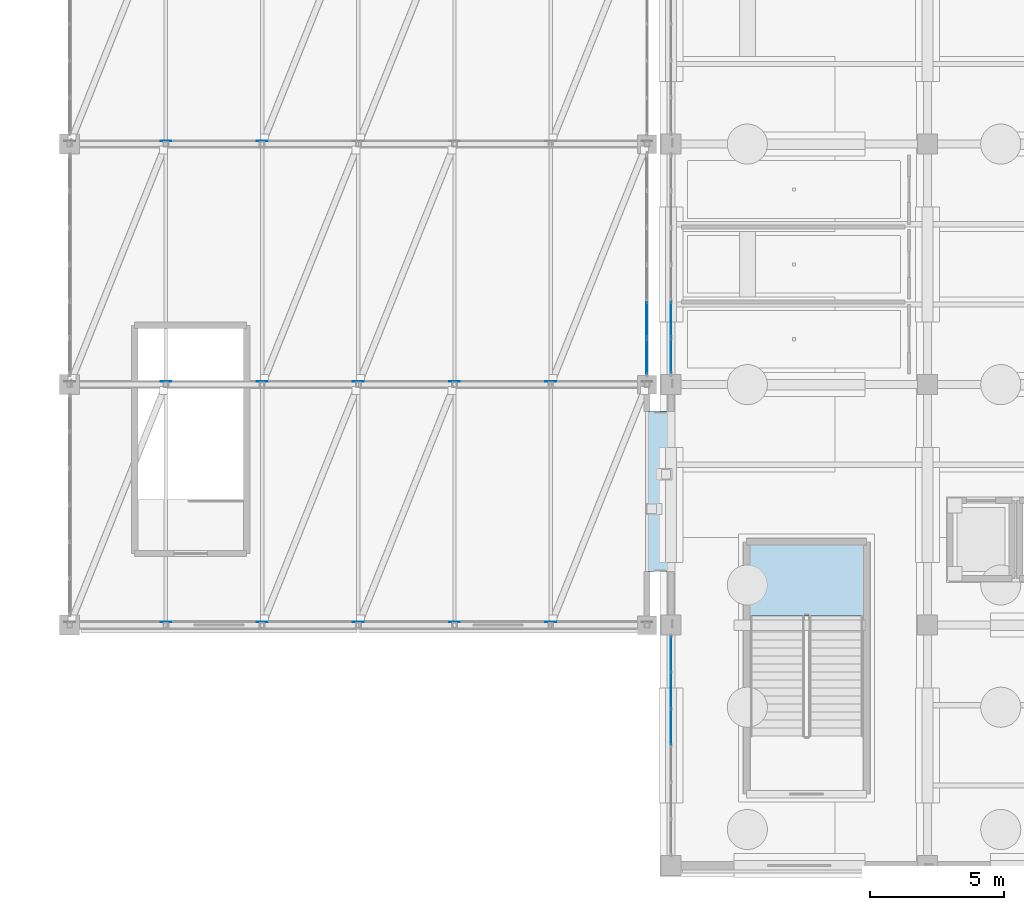
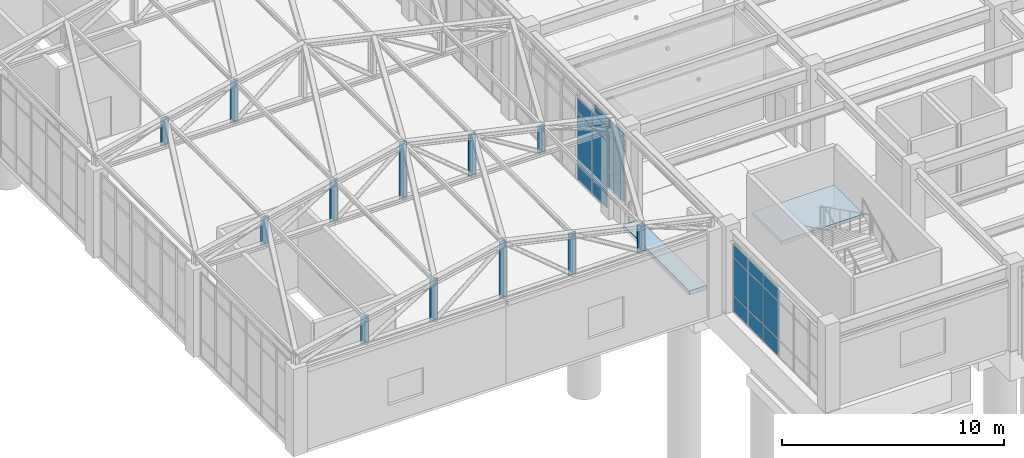
# One storey, part 95 of 139: 33 plates, 2 slabs, 4 elements without a shape of their own.
"""IFC4 building model written with IfcOpenShell, lengths in metres."""

from ifc_helpers import new_model, si_unit, direction, frame, origin, origin_2d, place, context, subcontext, project, spatial, polyline, rectangle, outline, extrude, material, layer, layer_set, type_object, element, aggregate, save


model = new_model("IFC4")

# Units and contexts
model_context = context("Model", 3, precision=1e-05, world=origin(), true_north=direction((0.0, 1.0)))
body_context = subcontext(model_context, "Body", "Model", "MODEL_VIEW")
ifc_project = project(units=[si_unit("LENGTHUNIT", "METRE"), si_unit("AREAUNIT", "SQUARE_METRE"), si_unit("VOLUMEUNIT", "CUBIC_METRE"), si_unit("PLANEANGLEUNIT", "RADIAN"), si_unit("MASSUNIT", "GRAM", prefix="KILO")], contexts=[model_context])

# Site, building, storey
site_placement = place(None, origin())
site = spatial("IfcSite", under=ifc_project, at=site_placement, CompositionType="ELEMENT")
building_placement = place(site_placement, origin())
building = spatial("IfcBuilding", under=site, at=building_placement, Name="Canglan Escarpment Cableway Terminal", CompositionType="ELEMENT")
storey_placement = place(building_placement, frame((0.0, 0.0, 14.39990234375)))
storey = spatial("IfcBuildingStorey", under=building, at=storey_placement, Name="L03", CompositionType="ELEMENT", Elevation=14.39990234375)

# Curtain wall, plates
ifc_material_1 = material(Name="Anodized bronze aluminium and Low-E double glazing", Category="aluminium")
curtain_wall_type_1 = type_object("IfcCurtainWallType", Name="CW-BAY-8250x3900", PredefinedType="NOTDEFINED", material=ifc_material_1)
curtain_wall_1_placement = place(storey_placement, origin())
curtain_wall_1 = element("IfcCurtainWall", 1, at=curtain_wall_1_placement, inside=storey, type_object=curtain_wall_type_1, Name="Classical bay-between-piers glazed curtain wall CW-62", PredefinedType="NOTDEFINED")
ifc_material_2 = material(Name="Double-silver Low-E laminated insulating glass", Category="glass")
ifc_layer_1 = layer(ifc_material_2, 0.02392578125, Name="Double-silver Low-E laminated insulating glass")
ifc_layer_set_1 = layer_set([ifc_layer_1], Name="Double-silver Low-E laminated insulating glass")
plate_type_1 = type_object("IfcPlateType", Name="CWP-01", PredefinedType="CURTAIN_PANEL", material=ifc_layer_set_1)
plate_1_placement = place(storey_placement, frame((137.60009765625, 41.922607421875, 0.05517578125), z_axis=(0.0, 0.0, 1.0), x_axis=(0.0, -1.0, 0.0)))
plate_1 = element("IfcPlate", 2, at=plate_1_placement, type_object=plate_type_1, Name="CW-62 panel 1.1", PredefinedType="CURTAIN_PANEL", context=body_context, shape_type="SweptSolid", body=[
    extrude(rectangle(XDim=1.284912109375, YDim=0.02392578125, at=origin_2d()), origin(), (0.0, 0.0, 1.0), 0.867431640625),
])
plate_2_placement = place(storey_placement, frame((137.60009765625, 41.922607421875, 0.9775390625), z_axis=(0.0, 0.0, 1.0), x_axis=(0.0, -1.0, 0.0)))
plate_2 = element("IfcPlate", 3, at=plate_2_placement, type_object=plate_type_1, Name="CW-62 panel 1.2", PredefinedType="CURTAIN_PANEL", context=body_context, shape_type="SweptSolid", body=[
    extrude(rectangle(XDim=1.284912109375, YDim=0.02392578125, at=origin_2d()), origin(), (0.0, 0.0, 1.0), 2.035888671875),
])
plate_3_placement = place(storey_placement, frame((137.60009765625, 41.922607421875, 3.068603515625), z_axis=(0.0, 0.0, 1.0), x_axis=(0.0, -1.0, 0.0)))
plate_3 = element("IfcPlate", 4, at=plate_3_placement, type_object=plate_type_1, Name="CW-62 panel 1.3", PredefinedType="CURTAIN_PANEL", context=body_context, shape_type="SweptSolid", body=[
    extrude(rectangle(XDim=1.284912109375, YDim=0.02392578125, at=origin_2d()), origin(), (0.0, 0.0, 1.0), 0.767578125),
])
plate_4_placement = place(storey_placement, frame((137.60009765625, 40.5625, 0.05517578125), z_axis=(0.0, 0.0, 1.0), x_axis=(0.0, -1.0, 0.0)))
plate_4 = element("IfcPlate", 5, at=plate_4_placement, type_object=plate_type_1, Name="CW-62 panel 2.1", PredefinedType="CURTAIN_PANEL", context=body_context, shape_type="SweptSolid", body=[
    extrude(rectangle(XDim=1.31494140625, YDim=0.02392578125, at=origin_2d()), origin(), (0.0, 0.0, 1.0), 0.867431640625),
])
plate_5_placement = place(storey_placement, frame((137.60009765625, 40.5625, 0.9775390625), z_axis=(0.0, 0.0, 1.0), x_axis=(0.0, -1.0, 0.0)))
plate_5 = element("IfcPlate", 6, at=plate_5_placement, type_object=plate_type_1, Name="CW-62 panel 2.2", PredefinedType="CURTAIN_PANEL", context=body_context, shape_type="SweptSolid", body=[
    extrude(rectangle(XDim=1.31494140625, YDim=0.02392578125, at=origin_2d()), origin(), (0.0, 0.0, 1.0), 2.035888671875),
])
plate_6_placement = place(storey_placement, frame((137.60009765625, 40.5625, 3.068603515625), z_axis=(0.0, 0.0, 1.0), x_axis=(0.0, -1.0, 0.0)))
plate_6 = element("IfcPlate", 7, at=plate_6_placement, type_object=plate_type_1, Name="CW-62 panel 2.3", PredefinedType="CURTAIN_PANEL", context=body_context, shape_type="SweptSolid", body=[
    extrude(rectangle(XDim=1.31494140625, YDim=0.02392578125, at=origin_2d()), origin(), (0.0, 0.0, 1.0), 0.767578125),
])
plate_7_placement = place(storey_placement, frame((137.60009765625, 39.1875, 0.05517578125), z_axis=(0.0, 0.0, 1.0), x_axis=(0.0, -1.0, 0.0)))
plate_7 = element("IfcPlate", 8, at=plate_7_placement, type_object=plate_type_1, Name="CW-62 panel 3.1", PredefinedType="CURTAIN_PANEL", context=body_context, shape_type="SweptSolid", body=[
    extrude(rectangle(XDim=1.31494140625, YDim=0.02392578125, at=origin_2d()), origin(), (0.0, 0.0, 1.0), 0.867431640625),
])
plate_8_placement = place(storey_placement, frame((137.60009765625, 39.1875, 0.9775390625), z_axis=(0.0, 0.0, 1.0), x_axis=(0.0, -1.0, 0.0)))
plate_8 = element("IfcPlate", 9, at=plate_8_placement, type_object=plate_type_1, Name="CW-62 panel 3.2", PredefinedType="CURTAIN_PANEL", context=body_context, shape_type="SweptSolid", body=[
    extrude(rectangle(XDim=1.31494140625, YDim=0.02392578125, at=origin_2d()), origin(), (0.0, 0.0, 1.0), 2.035888671875),
])
plate_9_placement = place(storey_placement, frame((137.60009765625, 39.1875, 3.068603515625), z_axis=(0.0, 0.0, 1.0), x_axis=(0.0, -1.0, 0.0)))
plate_9 = element("IfcPlate", 10, at=plate_9_placement, type_object=plate_type_1, Name="CW-62 panel 3.3", PredefinedType="CURTAIN_PANEL", context=body_context, shape_type="SweptSolid", body=[
    extrude(rectangle(XDim=1.31494140625, YDim=0.02392578125, at=origin_2d()), origin(), (0.0, 0.0, 1.0), 0.767578125),
])
aggregate(curtain_wall_1, [plate_1, plate_2, plate_3, plate_4, plate_5, plate_6, plate_7, plate_8, plate_9])

curtain_wall_2_placement = place(storey_placement, origin())
curtain_wall_2 = element("IfcCurtainWall", 11, at=curtain_wall_2_placement, inside=storey, type_object=curtain_wall_type_1, Name="Classical bay-between-piers glazed curtain wall CW-62", PredefinedType="NOTDEFINED")
ifc_layer_2 = layer(ifc_material_2, 0.031982421875, Name="Double-silver Low-E laminated insulating glass")
ifc_layer_set_2 = layer_set([ifc_layer_2], Name="Double-silver Low-E laminated insulating glass")
plate_type_2 = type_object("IfcPlateType", Name="CWP-03", PredefinedType="CURTAIN_PANEL", material=ifc_layer_set_2)
plate_10_placement = place(storey_placement, frame((137.60009765625, 54.4375, 0.065185546875), z_axis=(0.0, 0.0, 1.0), x_axis=(0.0, -1.0, 0.0)))
plate_10 = element("IfcPlate", 12, at=plate_10_placement, type_object=plate_type_2, Name="CW-62 panel 5.1", PredefinedType="CURTAIN_PANEL", context=body_context, shape_type="SweptSolid", body=[
    extrude(rectangle(XDim=1.31005859375, YDim=0.031982421875, at=origin_2d()), origin(), (0.0, 0.0, 1.0), 0.8525390625),
])
plate_11_placement = place(storey_placement, frame((137.60009765625, 54.4375, 0.982666015625), z_axis=(0.0, 0.0, 1.0), x_axis=(0.0, -1.0, 0.0)))
plate_11 = element("IfcPlate", 13, at=plate_11_placement, type_object=plate_type_2, Name="CW-62 panel 5.2", PredefinedType="CURTAIN_PANEL", context=body_context, shape_type="SweptSolid", body=[
    extrude(rectangle(XDim=1.31005859375, YDim=0.031982421875, at=origin_2d()), origin(), (0.0, 0.0, 1.0), 2.02587890625),
])
plate_12_placement = place(storey_placement, frame((137.60009765625, 54.4375, 3.07373046875), z_axis=(0.0, 0.0, 1.0), x_axis=(0.0, -1.0, 0.0)))
plate_12 = element("IfcPlate", 14, at=plate_12_placement, type_object=plate_type_2, Name="CW-62 panel 5.3", PredefinedType="CURTAIN_PANEL", context=body_context, shape_type="SweptSolid", body=[
    extrude(rectangle(XDim=1.31005859375, YDim=0.031982421875, at=origin_2d()), origin(), (0.0, 0.0, 1.0), 0.75244140625),
])
plate_13_placement = place(storey_placement, frame((137.60009765625, 53.078857421875, 0.065185546875), z_axis=(0.0, 0.0, 1.0), x_axis=(0.0, -1.0, 0.0)))
plate_13 = element("IfcPlate", 15, at=plate_13_placement, type_object=plate_type_2, Name="CW-62 panel 6.1", PredefinedType="CURTAIN_PANEL", context=body_context, shape_type="SweptSolid", body=[
    extrude(rectangle(XDim=1.277587890625, YDim=0.031982421875, at=origin_2d()), origin(), (0.0, 0.0, 1.0), 0.8525390625),
])
plate_14_placement = place(storey_placement, frame((137.60009765625, 53.078857421875, 0.982666015625), z_axis=(0.0, 0.0, 1.0), x_axis=(0.0, -1.0, 0.0)))
plate_14 = element("IfcPlate", 16, at=plate_14_placement, type_object=plate_type_2, Name="CW-62 panel 6.2", PredefinedType="CURTAIN_PANEL", context=body_context, shape_type="SweptSolid", body=[
    extrude(rectangle(XDim=1.277587890625, YDim=0.031982421875, at=origin_2d()), origin(), (0.0, 0.0, 1.0), 2.02587890625),
])
plate_15_placement = place(storey_placement, frame((137.60009765625, 53.078857421875, 3.07373046875), z_axis=(0.0, 0.0, 1.0), x_axis=(0.0, -1.0, 0.0)))
plate_15 = element("IfcPlate", 17, at=plate_15_placement, type_object=plate_type_2, Name="CW-62 panel 6.3", PredefinedType="CURTAIN_PANEL", context=body_context, shape_type="SweptSolid", body=[
    extrude(rectangle(XDim=1.277587890625, YDim=0.031982421875, at=origin_2d()), origin(), (0.0, 0.0, 1.0), 0.75244140625),
])
aggregate(curtain_wall_2, [plate_10, plate_11, plate_12, plate_13, plate_14, plate_15])

curtain_wall_type_2 = type_object("IfcCurtainWallType", Name="CW-BAY-8300x4600", PredefinedType="NOTDEFINED", material=ifc_material_1)
curtain_wall_3_placement = place(storey_placement, origin())
curtain_wall_3 = element("IfcCurtainWall", 18, at=curtain_wall_3_placement, inside=storey, type_object=curtain_wall_type_2, Name="Classical bay-between-piers glazed curtain wall CW-45", PredefinedType="NOTDEFINED")
ifc_layer_3 = layer(ifc_material_2, 0.035888671875, Name="Double-silver Low-E laminated insulating glass")
ifc_layer_set_3 = layer_set([ifc_layer_3], Name="Double-silver Low-E laminated insulating glass")
plate_type_3 = type_object("IfcPlateType", Name="CWP-04", PredefinedType="CURTAIN_PANEL", material=ifc_layer_set_3)
plate_16_placement = place(storey_placement, frame((136.699951171875, 53.057861328125, 0.065185546875), z_axis=(0.0, 0.0, 1.0), x_axis=(0.0, 1.0, 0.0)))
plate_16 = element("IfcPlate", 19, at=plate_16_placement, type_object=plate_type_3, Name="CW-45 panel 1.1", PredefinedType="CURTAIN_PANEL", context=body_context, shape_type="SweptSolid", body=[
    extrude(rectangle(XDim=1.285888671875, YDim=0.035888671875, at=origin_2d()), origin(), (0.0, 0.0, 1.0), 0.8525390625),
])
plate_17_placement = place(storey_placement, frame((136.699951171875, 53.057861328125, 0.982421875), z_axis=(0.0, 0.0, 1.0), x_axis=(0.0, 1.0, 0.0)))
plate_17 = element("IfcPlate", 20, at=plate_17_placement, type_object=plate_type_3, Name="CW-45 panel 1.2", PredefinedType="CURTAIN_PANEL", context=body_context, shape_type="SweptSolid", body=[
    extrude(rectangle(XDim=1.285888671875, YDim=0.035888671875, at=origin_2d()), origin(), (0.0, 0.0, 1.0), 2.735107421875),
])
plate_18_placement = place(storey_placement, frame((136.699951171875, 53.057861328125, 3.78271484375), z_axis=(0.0, 0.0, 1.0), x_axis=(0.0, 1.0, 0.0)))
plate_18 = element("IfcPlate", 21, at=plate_18_placement, type_object=plate_type_3, Name="CW-45 panel 1.3", PredefinedType="CURTAIN_PANEL", context=body_context, shape_type="SweptSolid", body=[
    extrude(rectangle(XDim=1.285888671875, YDim=0.035888671875, at=origin_2d()), origin(), (0.0, 0.0, 1.0), 0.75244140625),
])
plate_19_placement = place(storey_placement, frame((136.699951171875, 54.425048828125, 0.065185546875), z_axis=(0.0, 0.0, 1.0), x_axis=(0.0, 1.0, 0.0)))
plate_19 = element("IfcPlate", 22, at=plate_19_placement, type_object=plate_type_3, Name="CW-45 panel 2.1", PredefinedType="CURTAIN_PANEL", context=body_context, shape_type="SweptSolid", body=[
    extrude(rectangle(XDim=1.318359375, YDim=0.035888671875, at=origin_2d()), origin(), (0.0, 0.0, 1.0), 0.8525390625),
])
plate_20_placement = place(storey_placement, frame((136.699951171875, 54.425048828125, 0.982421875), z_axis=(0.0, 0.0, 1.0), x_axis=(0.0, 1.0, 0.0)))
plate_20 = element("IfcPlate", 23, at=plate_20_placement, type_object=plate_type_3, Name="CW-45 panel 2.2", PredefinedType="CURTAIN_PANEL", context=body_context, shape_type="SweptSolid", body=[
    extrude(rectangle(XDim=1.318359375, YDim=0.035888671875, at=origin_2d()), origin(), (0.0, 0.0, 1.0), 2.735107421875),
])
plate_21_placement = place(storey_placement, frame((136.699951171875, 54.425048828125, 3.78271484375), z_axis=(0.0, 0.0, 1.0), x_axis=(0.0, 1.0, 0.0)))
plate_21 = element("IfcPlate", 24, at=plate_21_placement, type_object=plate_type_3, Name="CW-45 panel 2.3", PredefinedType="CURTAIN_PANEL", context=body_context, shape_type="SweptSolid", body=[
    extrude(rectangle(XDim=1.318359375, YDim=0.035888671875, at=origin_2d()), origin(), (0.0, 0.0, 1.0), 0.75244140625),
])
aggregate(curtain_wall_3, [plate_16, plate_17, plate_18, plate_19, plate_20, plate_21])

# Plates
ifc_material_3 = material(Name="Steel Q355B", Category="steel")
ifc_layer_4 = layer(ifc_material_3, 0.02001953125, Name="Steel Q355B")
ifc_layer_set_4 = layer_set([ifc_layer_4], Name="Steel Q355B")
plate_type_4 = type_object("IfcPlateType", Name="PLT-GUSSET-20", PredefinedType="USERDEFINED", material=ifc_layer_set_4)
plate_22_placement = place(storey_placement, frame((118.699951171875, 43.114990234375, 4.580078125), z_axis=(0.0, 0.0, 1.0), x_axis=(1.0, 0.0, 0.0)))
element("IfcPlate", 25, at=plate_22_placement, inside=storey, type_object=plate_type_4, Name="Pratt truss gusset plate GP-02", ObjectType="GUSSET PLATE", PredefinedType="USERDEFINED", context=body_context, shape_type="SweptSolid", body=[
    extrude(rectangle(XDim=0.39990234375, YDim=0.02001953125, at=origin_2d()), origin(), (0.0, 0.0, 1.0), 1.5400390625),
])
plate_23_placement = place(storey_placement, frame((122.300048828125, 43.114990234375, 4.580078125), z_axis=(0.0, 0.0, 1.0), x_axis=(1.0, 0.0, 0.0)))
element("IfcPlate", 26, at=plate_23_placement, inside=storey, type_object=plate_type_4, Name="Pratt truss gusset plate GP-02", ObjectType="GUSSET PLATE", PredefinedType="USERDEFINED", context=body_context, shape_type="SweptSolid", body=[
    extrude(rectangle(XDim=0.39990234375, YDim=0.02001953125, at=origin_2d()), origin(), (0.0, 0.0, 1.0), 2.340087890625),
])
plate_24_placement = place(storey_placement, frame((125.89990234375, 43.114990234375, 4.580078125), z_axis=(0.0, 0.0, 1.0), x_axis=(1.0, 0.0, 0.0)))
element("IfcPlate", 27, at=plate_24_placement, inside=storey, type_object=plate_type_4, Name="Pratt truss gusset plate GP-02", ObjectType="GUSSET PLATE", PredefinedType="USERDEFINED", context=body_context, shape_type="SweptSolid", body=[
    extrude(rectangle(XDim=0.39990234375, YDim=0.02001953125, at=origin_2d()), origin(), (0.0, 0.0, 1.0), 3.139892578125),
])
plate_25_placement = place(storey_placement, frame((129.5, 43.114990234375, 4.580078125), z_axis=(0.0, 0.0, 1.0), x_axis=(1.0, 0.0, 0.0)))
element("IfcPlate", 28, at=plate_25_placement, inside=storey, type_object=plate_type_4, Name="Pratt truss gusset plate GP-02", ObjectType="GUSSET PLATE", PredefinedType="USERDEFINED", context=body_context, shape_type="SweptSolid", body=[
    extrude(rectangle(XDim=0.39990234375, YDim=0.02001953125, at=origin_2d()), origin(), (0.0, 0.0, 1.0), 2.340087890625),
])
for number, where, z_axis, x_axis, name in (
    (29, (133.10009765625, 43.114990234375, 4.580078125), (0.0, 0.0, 1.0), (1.0, 0.0, 0.0), "Pratt truss gusset plate GP-02"),
    (30, (118.699951171875, 52.114990234375, 4.580078125), (0.0, 0.0, 1.0), (1.0, 0.0, 0.0), "Pratt truss gusset plate GP-02"),
):
    element("IfcPlate", number, at=place(storey_placement, frame(where, z_axis=z_axis, x_axis=x_axis)), inside=storey, type_object=plate_type_4, Name=name, ObjectType="GUSSET PLATE", PredefinedType="USERDEFINED", context=body_context, shape_type="SweptSolid", body=[
        extrude(rectangle(XDim=0.39990234375, YDim=0.02001953125, at=origin_2d()), origin(), (0.0, 0.0, 1.0), 1.5400390625),
    ])
plate_26_placement = place(storey_placement, frame((122.300048828125, 52.114990234375, 4.580078125), z_axis=(0.0, 0.0, 1.0), x_axis=(1.0, 0.0, 0.0)))
element("IfcPlate", 31, at=plate_26_placement, inside=storey, type_object=plate_type_4, Name="Pratt truss gusset plate GP-02", ObjectType="GUSSET PLATE", PredefinedType="USERDEFINED", context=body_context, shape_type="SweptSolid", body=[
    extrude(rectangle(XDim=0.39990234375, YDim=0.02001953125, at=origin_2d()), origin(), (0.0, 0.0, 1.0), 2.340087890625),
])
plate_27_placement = place(storey_placement, frame((125.89990234375, 52.114990234375, 4.580078125), z_axis=(0.0, 0.0, 1.0), x_axis=(1.0, 0.0, 0.0)))
element("IfcPlate", 32, at=plate_27_placement, inside=storey, type_object=plate_type_4, Name="Pratt truss gusset plate GP-02", ObjectType="GUSSET PLATE", PredefinedType="USERDEFINED", context=body_context, shape_type="SweptSolid", body=[
    extrude(rectangle(XDim=0.39990234375, YDim=0.02001953125, at=origin_2d()), origin(), (0.0, 0.0, 1.0), 3.139892578125),
])
plate_28_placement = place(storey_placement, frame((129.5, 52.114990234375, 4.580078125), z_axis=(0.0, 0.0, 1.0), x_axis=(1.0, 0.0, 0.0)))
element("IfcPlate", 33, at=plate_28_placement, inside=storey, type_object=plate_type_4, Name="Pratt truss gusset plate GP-02", ObjectType="GUSSET PLATE", PredefinedType="USERDEFINED", context=body_context, shape_type="SweptSolid", body=[
    extrude(rectangle(XDim=0.39990234375, YDim=0.02001953125, at=origin_2d()), origin(), (0.0, 0.0, 1.0), 2.340087890625),
])
for number, where, z_axis, x_axis, name in (
    (34, (133.10009765625, 52.114990234375, 4.580078125), (0.0, 0.0, 1.0), (1.0, 0.0, 0.0), "Pratt truss gusset plate GP-02"),
    (35, (118.699951171875, 61.114990234375, 4.580078125), (0.0, 0.0, 1.0), (1.0, 0.0, 0.0), "Pratt truss gusset plate GP-02"),
):
    element("IfcPlate", number, at=place(storey_placement, frame(where, z_axis=z_axis, x_axis=x_axis)), inside=storey, type_object=plate_type_4, Name=name, ObjectType="GUSSET PLATE", PredefinedType="USERDEFINED", context=body_context, shape_type="SweptSolid", body=[
        extrude(rectangle(XDim=0.39990234375, YDim=0.02001953125, at=origin_2d()), origin(), (0.0, 0.0, 1.0), 1.5400390625),
    ])
plate_29_placement = place(storey_placement, frame((122.300048828125, 61.114990234375, 4.580078125), z_axis=(0.0, 0.0, 1.0), x_axis=(1.0, 0.0, 0.0)))
element("IfcPlate", 36, at=plate_29_placement, inside=storey, type_object=plate_type_4, Name="Pratt truss gusset plate GP-02", ObjectType="GUSSET PLATE", PredefinedType="USERDEFINED", context=body_context, shape_type="SweptSolid", body=[
    extrude(rectangle(XDim=0.39990234375, YDim=0.02001953125, at=origin_2d()), origin(), (0.0, 0.0, 1.0), 2.340087890625),
])

# Slab
ifc_material_4 = material(Name="Concrete C40", Category="concrete")
ifc_layer_5 = layer(ifc_material_4, 0.219970703125, Name="Concrete C40")
ifc_layer_set_5 = layer_set([ifc_layer_5], Name="Concrete C40")
slab_type_1 = type_object("IfcSlabType", Name="SLB-LINK-220", PredefinedType="FLOOR", material=ifc_layer_set_5)
slab_1_placement = place(storey_placement, frame((0.0, 0.0, -0.219970703125)))
element("IfcSlab", 37, at=slab_1_placement, inside=storey, type_object=slab_type_1, Name="Movement-joint concourse link slab MJ-S1", PredefinedType="FLOOR", context=body_context, shape_type="SweptSolid", body=[
    extrude(outline(polyline([(137.594970703125, 51.0), (137.594970703125, 45.0), (136.705078125, 45.0), (136.705078125, 51.0), (137.594970703125, 51.0)])), origin(), (0.0, 0.0, 1.0), 0.219970703125),
])

# Stair, slab
stair_type = type_object("IfcStairType", Name="STR-DOGLEG-2050", PredefinedType="HALF_TURN_STAIR", material=ifc_material_4)
stair_placement = place(storey_placement, origin())
stair = element("IfcStair", 38, at=stair_placement, inside=storey, type_object=stair_type, Name="L03 Protected Exit Stair ST-13", PredefinedType="HALF_TURN_STAIR")
ifc_layer_6 = layer(ifc_material_4, 0.199951171875, Name="Concrete C40")
ifc_layer_set_6 = layer_set([ifc_layer_6], Name="Concrete C40")
slab_type_2 = type_object("IfcSlabType", Name="SLB-STAIR-LAND-200", PredefinedType="LANDING", material=ifc_layer_set_6)
slab_2_placement = place(storey_placement, frame((0.0, 0.0, 2.2001953125)))
slab_2 = element("IfcSlab", 39, at=slab_2_placement, type_object=slab_type_2, Name="ST-13 landing 1", PredefinedType="LANDING", context=body_context, shape_type="SweptSolid", body=[
    extrude(outline(polyline([(144.800048828125, 43.35009765625), (144.800048828125, 46.0), (140.550048828125, 46.0), (140.550048828125, 43.35009765625), (144.800048828125, 43.35009765625)])), origin(), (0.0, 0.0, 1.0), 0.199951171875),
])
aggregate(stair, [slab_2])

save(model, "model.ifc")
